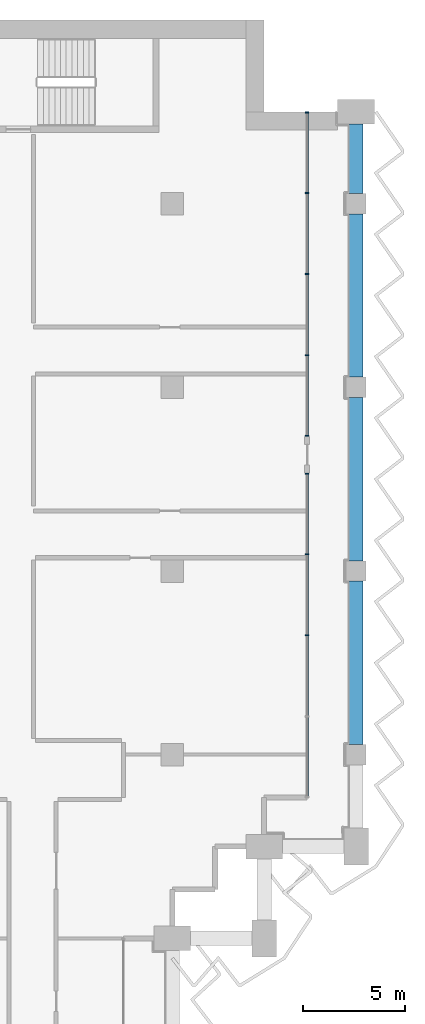
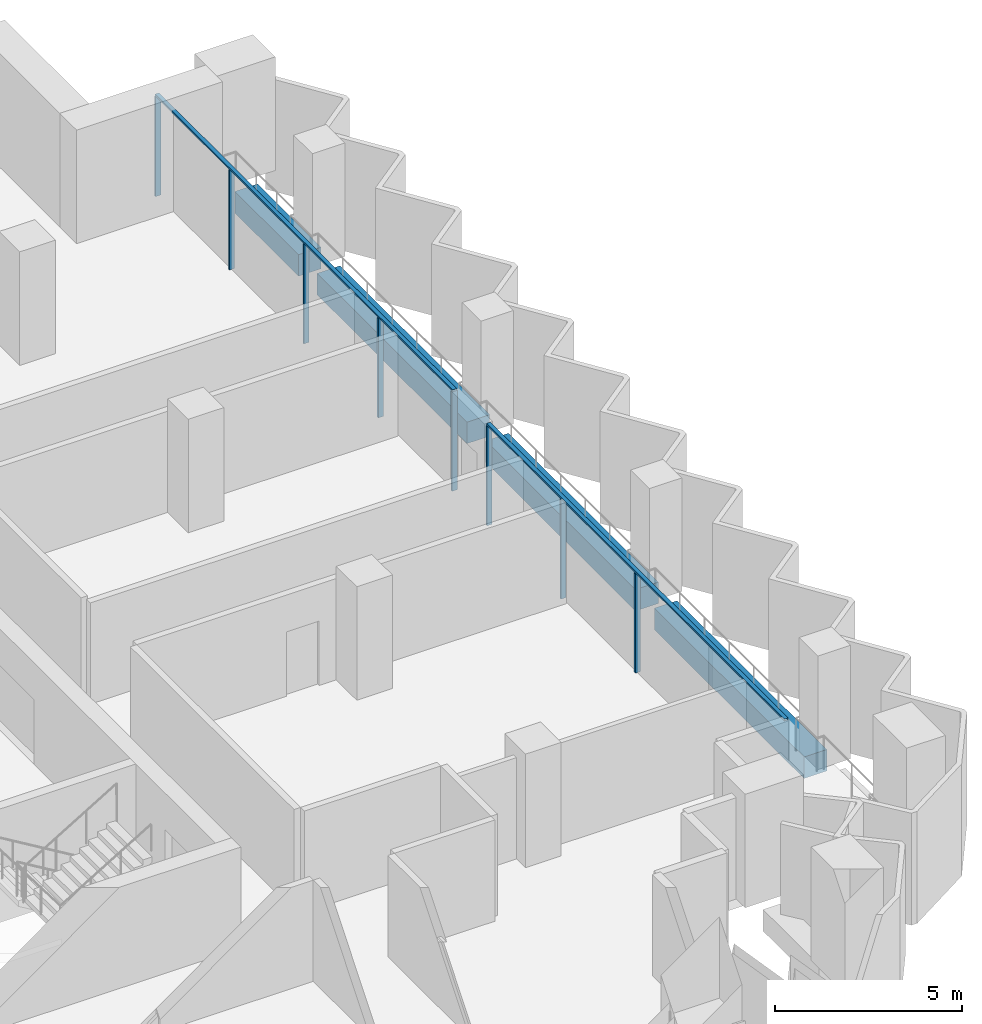
# One storey, part 5 of 17: 10 members, 4 beams, 2 elements without a shape of their own.
"""IFC4 building model written with IfcOpenShell, lengths in metres."""

from ifc_helpers import new_model, si_unit, direction, frame, origin, origin_2d, place, context, subcontext, project, spatial, rectangle, extrude, material, material_profile, profile_set, type_object, element, aggregate, save


model = new_model("IFC4")

# Units and contexts
model_context = context("Model", 3, precision=1e-05, world=origin(), true_north=direction((0.0, 1.0)))
body_context = subcontext(model_context, "Body", "Model", "MODEL_VIEW")
ifc_project = project(units=[si_unit("LENGTHUNIT", "METRE"), si_unit("AREAUNIT", "SQUARE_METRE"), si_unit("VOLUMEUNIT", "CUBIC_METRE"), si_unit("PLANEANGLEUNIT", "RADIAN"), si_unit("MASSUNIT", "GRAM", prefix="KILO")], contexts=[model_context])

# Site, building, storey
site_placement = place(None, origin())
site = spatial("IfcSite", under=ifc_project, at=site_placement, CompositionType="ELEMENT")
building_placement = place(site_placement, origin())
building = spatial("IfcBuilding", under=site, at=building_placement, Name="Hunhe Ridgeline Campus", CompositionType="ELEMENT")
storey_placement = place(building_placement, frame((0.0, 0.0, 193.89990234375)))
storey = spatial("IfcBuildingStorey", under=building, at=storey_placement, Name="L49", CompositionType="ELEMENT", Elevation=193.89990234375)

# Curtain wall, members
ifc_material_1 = material(Name="Aluminium 6063", Category="aluminium")
curtain_wall_type = type_object("IfcCurtainWallType", Name="Curtain wall CW-1", PredefinedType="NOTDEFINED", material=ifc_material_1)
curtain_wall_1_placement = place(storey_placement, origin())
curtain_wall_1 = element("IfcCurtainWall", 1, at=curtain_wall_1_placement, inside=storey, type_object=curtain_wall_type, Name="Curtain wall 12", PredefinedType="NOTDEFINED")
ifc_material_profile_1 = material_profile(ifc_material_1, rectangle(XDim=0.159912109375, YDim=0.06005859375, at=origin_2d()))
ifc_profile_set_1 = profile_set([ifc_material_profile_1], Name="Aluminium 6063")
member_type_1 = type_object("IfcMemberType", Name="CW-1 aluminium mullion", PredefinedType="MULLION", material=ifc_profile_set_1)
member_1_placement = place(storey_placement, frame((51.59912109375, 68.850830078125, 0.0), z_axis=(0.0, 0.0, 1.0), x_axis=(-1.0, 0.0, 0.0)))
member_1 = element("IfcMember", 2, at=member_1_placement, type_object=member_type_1, Name="CW-1 mullion 3", PredefinedType="MULLION", context=body_context, shape_type="SweptSolid", body=[
    extrude(rectangle(XDim=0.159912109375, YDim=0.06005859375, at=origin_2d()), origin(), (0.0, 0.0, 1.0), 3.239990234375),
])
member_2_placement = place(storey_placement, frame((51.59912109375, 72.82568359375, 0.0), z_axis=(0.0, 0.0, 1.0), x_axis=(-1.0, 0.0, 0.0)))
member_2 = element("IfcMember", 3, at=member_2_placement, type_object=member_type_1, Name="CW-1 mullion 4", PredefinedType="MULLION", context=body_context, shape_type="SweptSolid", body=[
    extrude(rectangle(XDim=0.159912109375, YDim=0.06005859375, at=origin_2d()), origin(), (0.0, 0.0, 1.0), 3.239990234375),
])
member_3_placement = place(storey_placement, frame((51.59912109375, 76.7705078125, 0.0), z_axis=(0.0, 0.0, 1.0), x_axis=(-1.0, 0.0, 0.0)))
member_3 = element("IfcMember", 4, at=member_3_placement, type_object=member_type_1, Name="CW-1 mullion 5", PredefinedType="MULLION", context=body_context, shape_type="SweptSolid", body=[
    extrude(rectangle(XDim=0.159912109375, YDim=0.06005859375, at=origin_2d()), origin(), (0.0, 0.0, 1.0), 3.239990234375),
])

curtain_wall_2_placement = place(storey_placement, origin())
curtain_wall_2 = element("IfcCurtainWall", 5, at=curtain_wall_2_placement, inside=storey, type_object=curtain_wall_type, Name="Curtain wall 13", PredefinedType="NOTDEFINED")
member_4_placement = place(storey_placement, frame((51.59912109375, 78.630615234375, 0.0), z_axis=(0.0, 0.0, 1.0), x_axis=(-1.0, 0.0, 0.0)))
member_4 = element("IfcMember", 6, at=member_4_placement, type_object=member_type_1, Name="CW-1 mullion 1", PredefinedType="MULLION", context=body_context, shape_type="SweptSolid", body=[
    extrude(rectangle(XDim=0.159912109375, YDim=0.06005859375, at=origin_2d()), origin(), (0.0, 0.0, 1.0), 3.239990234375),
])
member_5_placement = place(storey_placement, frame((51.59912109375, 82.575439453125, 0.0), z_axis=(0.0, 0.0, 1.0), x_axis=(-1.0, 0.0, 0.0)))
member_5 = element("IfcMember", 7, at=member_5_placement, type_object=member_type_1, Name="CW-1 mullion 2", PredefinedType="MULLION", context=body_context, shape_type="SweptSolid", body=[
    extrude(rectangle(XDim=0.159912109375, YDim=0.06005859375, at=origin_2d()), origin(), (0.0, 0.0, 1.0), 3.239990234375),
])
member_6_placement = place(storey_placement, frame((51.59912109375, 86.55029296875, 0.0), z_axis=(0.0, 0.0, 1.0), x_axis=(-1.0, 0.0, 0.0)))
member_6 = element("IfcMember", 8, at=member_6_placement, type_object=member_type_1, Name="CW-1 mullion 3", PredefinedType="MULLION", context=body_context, shape_type="SweptSolid", body=[
    extrude(rectangle(XDim=0.159912109375, YDim=0.06005859375, at=origin_2d()), origin(), (0.0, 0.0, 1.0), 3.239990234375),
])
member_7_placement = place(storey_placement, frame((51.59912109375, 90.525146484375, 0.0), z_axis=(0.0, 0.0, 1.0), x_axis=(-1.0, 0.0, 0.0)))
member_7 = element("IfcMember", 9, at=member_7_placement, type_object=member_type_1, Name="CW-1 mullion 4", PredefinedType="MULLION", context=body_context, shape_type="SweptSolid", body=[
    extrude(rectangle(XDim=0.159912109375, YDim=0.06005859375, at=origin_2d()), origin(), (0.0, 0.0, 1.0), 3.239990234375),
])
member_8_placement = place(storey_placement, frame((51.59912109375, 94.469970703125, 0.0), z_axis=(0.0, 0.0, 1.0), x_axis=(-1.0, 0.0, 0.0)))
member_8 = element("IfcMember", 10, at=member_8_placement, type_object=member_type_1, Name="CW-1 mullion 5", PredefinedType="MULLION", context=body_context, shape_type="SweptSolid", body=[
    extrude(rectangle(XDim=0.159912109375, YDim=0.06005859375, at=origin_2d()), origin(), (0.0, 0.0, 1.0), 3.239990234375),
])

# Member
ifc_material_profile_2 = material_profile(ifc_material_1, rectangle(XDim=0.1201171875, YDim=0.06005859375, at=origin_2d()))
ifc_profile_set_2 = profile_set([ifc_material_profile_2], Name="Aluminium 6063")
member_type_2 = type_object("IfcMemberType", Name="CW-1 aluminium transom", PredefinedType="USERDEFINED", material=ifc_profile_set_2)
member_9_placement = place(storey_placement, frame((51.59912109375, 60.90087890625, 3.27001953125), z_axis=(0.0, 1.0, 0.0), x_axis=(-1.0, 0.0, 0.0)))
member_9 = element("IfcMember", 11, at=member_9_placement, type_object=member_type_2, Name="CW-1 transom 1", ObjectType="TRANSOM", PredefinedType="USERDEFINED", context=body_context, shape_type="SweptSolid", body=[
    extrude(rectangle(XDim=0.1201171875, YDim=0.06005859375, at=origin_2d()), origin(), (0.0, 0.0, 1.0), 15.899658203125),
])

aggregate(curtain_wall_1, [member_9, member_1, member_2, member_3])

member_10_placement = place(storey_placement, frame((51.59912109375, 78.6005859375, 3.27001953125), z_axis=(0.0, 1.0, 0.0), x_axis=(-1.0, 0.0, 0.0)))
member_10 = element("IfcMember", 12, at=member_10_placement, type_object=member_type_2, Name="CW-1 transom 1", ObjectType="TRANSOM", PredefinedType="USERDEFINED", context=body_context, shape_type="SweptSolid", body=[
    extrude(rectangle(XDim=0.1201171875, YDim=0.06005859375, at=origin_2d()), origin(), (0.0, 0.0, 1.0), 15.8994140625),
])

aggregate(curtain_wall_2, [member_10, member_4, member_5, member_6, member_7, member_8])

# Beams
ifc_material_2 = material(Name="Concrete C50", Category="concrete")
ifc_material_profile_3 = material_profile(ifc_material_2, rectangle(XDim=0.699951171875, YDim=0.699951171875, at=origin_2d()))
ifc_profile_set_3 = profile_set([ifc_material_profile_3], Name="Concrete C50")
beam_type = type_object("IfcBeamType", Name="RC spandrel beam 700x700 Concrete C50", PredefinedType="SPANDREL", material=ifc_profile_set_3)
for number, where, z_axis, x_axis, name in (
    (13, (54.0, 63.5, -0.599853515625), (0.0, 1.0, 0.0), (-1.0, 0.0, 0.0), "Spandrel beam B3-15 L49"),
    (14, (54.0, 72.5, -0.599853515625), (0.0, 1.0, 0.0), (-1.0, 0.0, 0.0), "Spandrel beam B3-16 L49"),
    (15, (54.0, 81.5, -0.599853515625), (0.0, 1.0, 0.0), (-1.0, 0.0, 0.0), "Spandrel beam B3-17 L49"),
):
    element("IfcBeam", number, at=place(storey_placement, frame(where, z_axis=z_axis, x_axis=x_axis)), inside=storey, type_object=beam_type, Name=name, PredefinedType="SPANDREL", context=body_context, shape_type="SweptSolid", body=[
        extrude(rectangle(XDim=0.699951171875, YDim=0.699951171875, at=origin_2d()), origin(), (0.0, 0.0, 1.0), 8.0),
    ])
beam_placement = place(storey_placement, frame((54.0, 90.5, -0.599853515625), z_axis=(0.0, 1.0, 0.0), x_axis=(-1.0, 0.0, 0.0)))
element("IfcBeam", 16, at=beam_placement, inside=storey, type_object=beam_type, Name="Spandrel beam B3-18 L49", PredefinedType="SPANDREL", context=body_context, shape_type="SweptSolid", body=[
    extrude(rectangle(XDim=0.699951171875, YDim=0.699951171875, at=origin_2d()), origin(), (0.0, 0.0, 1.0), 3.39990234375),
])

save(model, "model.ifc")
